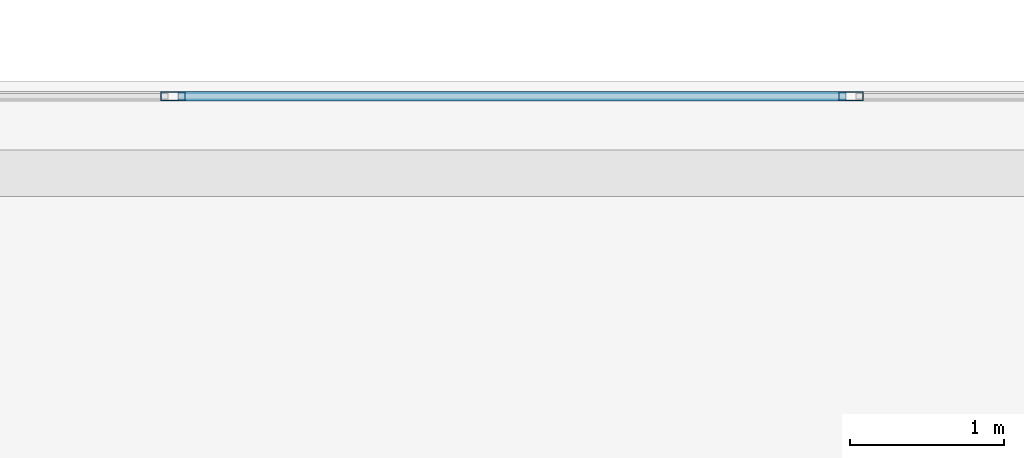
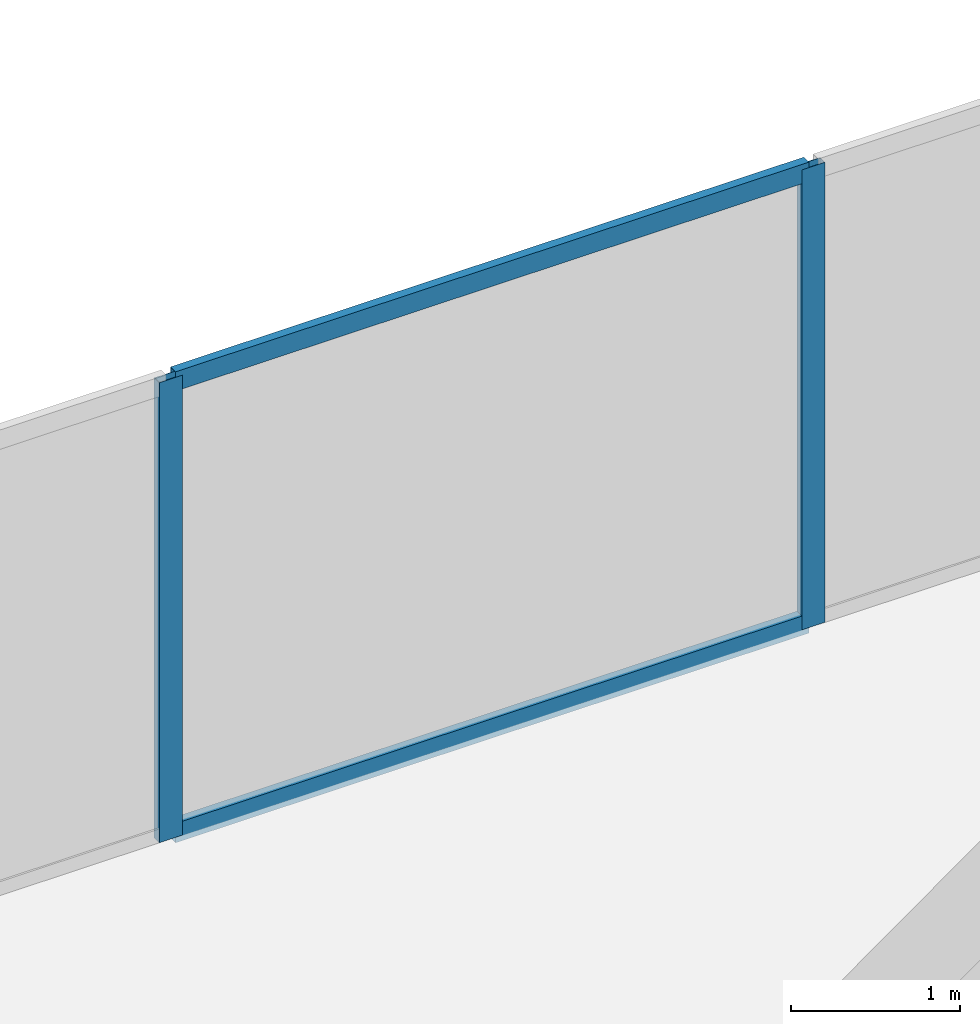
# One storey, part 22 of 32: 4 members, 1 element without a shape of its own.
"""IFC4 building model written with IfcOpenShell, lengths in metres."""

from ifc_helpers import new_model, si_unit, direction, frame, origin, origin_2d, place, context, subcontext, project, spatial, hollow_rectangle, extrude, material, layer, layer_set, material_profile, profile_set, type_object, element, aggregate, save


model = new_model("IFC4")

# Units and contexts
model_context = context("Model", 3, precision=1e-05, world=origin(), true_north=direction((0.0, 1.0)))
body_context = subcontext(model_context, "Body", "Model", "MODEL_VIEW")
ifc_project = project(units=[si_unit("LENGTHUNIT", "METRE"), si_unit("AREAUNIT", "SQUARE_METRE"), si_unit("VOLUMEUNIT", "CUBIC_METRE"), si_unit("PLANEANGLEUNIT", "RADIAN"), si_unit("MASSUNIT", "GRAM", prefix="KILO")], contexts=[model_context])

# Site, building, storey
site_placement = place(None, origin())
site = spatial("IfcSite", under=ifc_project, at=site_placement, CompositionType="ELEMENT")
building_placement = place(site_placement, origin())
building = spatial("IfcBuilding", under=site, at=building_placement, Name="Catumbela Crestline Tower", CompositionType="ELEMENT")
storey_placement = place(building_placement, frame((0.0, 0.0, 129.6)))
storey = spatial("IfcBuildingStorey", under=building, at=storey_placement, Name="L33", CompositionType="ELEMENT", Elevation=129.6)

# Curtain wall, members
ifc_material = material(Name="Aluminium alloy AW-6060-T66", Category="aluminium")
ifc_layer = layer(ifc_material, 0.18, Name="Aluminium alloy AW-6060-T66")
ifc_layer_set = layer_set([ifc_layer], Name="Aluminium alloy AW-6060-T66")
curtain_wall_type = type_object("IfcCurtainWallType", Name="CWU-Z2", PredefinedType="USERDEFINED", material=ifc_layer_set)
curtain_wall_placement = place(storey_placement, origin())
curtain_wall = element("IfcCurtainWall", 1, at=curtain_wall_placement, inside=storey, type_object=curtain_wall_type, Name="L33 Unitised Curtain Wall CW-L33-E7S1", ObjectType="UNITISED", PredefinedType="USERDEFINED")
ifc_material_profile_1 = material_profile(ifc_material, hollow_rectangle(XDim=0.06, YDim=0.16, WallThickness=0.004, at=origin_2d()), Name="ALU 160x60x4")
ifc_profile_set_1 = profile_set([ifc_material_profile_1], Name="Aluminium alloy AW-6060-T66")
member_type_1 = type_object("IfcMemberType", Name="MUL-160X60", PredefinedType="MULLION", material=ifc_profile_set_1)
member_1_placement = place(storey_placement, frame((29.9, 47.9, 0.0), z_axis=(0.0, 0.0, 1.0), x_axis=(0.0, -1.0, 0.0)))
member_1 = element("IfcMember", 2, at=member_1_placement, type_object=member_type_1, Name="CWU-Z2 mullion 5", PredefinedType="MULLION", context=body_context, shape_type="SweptSolid", body=[
    extrude(hollow_rectangle(XDim=0.06, YDim=0.16, WallThickness=0.004, at=origin_2d()), origin(), (0.0, 0.0, 1.0), 3.33),
])
member_2_placement = place(storey_placement, frame((25.5, 47.9, 0.0), z_axis=(0.0, 0.0, 1.0), x_axis=(0.0, -1.0, 0.0)))
member_2 = element("IfcMember", 3, at=member_2_placement, type_object=member_type_1, Name="CWU-Z2 mullion 6", PredefinedType="MULLION", context=body_context, shape_type="SweptSolid", body=[
    extrude(hollow_rectangle(XDim=0.06, YDim=0.16, WallThickness=0.004, at=origin_2d()), origin(), (0.0, 0.0, 1.0), 3.33),
])
ifc_material_profile_2 = material_profile(ifc_material, hollow_rectangle(XDim=0.06, YDim=0.14, WallThickness=0.004, at=origin_2d()), Name="ALU 140x60x4")
ifc_profile_set_2 = profile_set([ifc_material_profile_2], Name="Aluminium alloy AW-6060-T66")
member_type_2 = type_object("IfcMemberType", Name="TRN-140X60", PredefinedType="USERDEFINED", material=ifc_profile_set_2)
member_3_placement = place(storey_placement, frame((29.8675, 47.9, 0.03), z_axis=(-1.0, 0.0, 0.0), x_axis=(0.0, -1.0, 0.0)))
member_3 = element("IfcMember", 4, at=member_3_placement, type_object=member_type_2, Name="CWU-Z2 transom 5.1", ObjectType="TRANSOM", PredefinedType="USERDEFINED", context=body_context, shape_type="SweptSolid", body=[
    extrude(hollow_rectangle(XDim=0.06, YDim=0.14, WallThickness=0.004, at=origin_2d()), origin(), (0.0, 0.0, 1.0), 4.335),
])
member_4_placement = place(storey_placement, frame((29.8675, 47.9, 3.3), z_axis=(-1.0, 0.0, 0.0), x_axis=(0.0, -1.0, 0.0)))
member_4 = element("IfcMember", 5, at=member_4_placement, type_object=member_type_2, Name="CWU-Z2 transom 5.2", ObjectType="TRANSOM", PredefinedType="USERDEFINED", context=body_context, shape_type="SweptSolid", body=[
    extrude(hollow_rectangle(XDim=0.06, YDim=0.14, WallThickness=0.004, at=origin_2d()), origin(), (0.0, 0.0, 1.0), 4.335),
])
aggregate(curtain_wall, [member_1, member_2, member_3, member_4])

save(model, "model.ifc")
